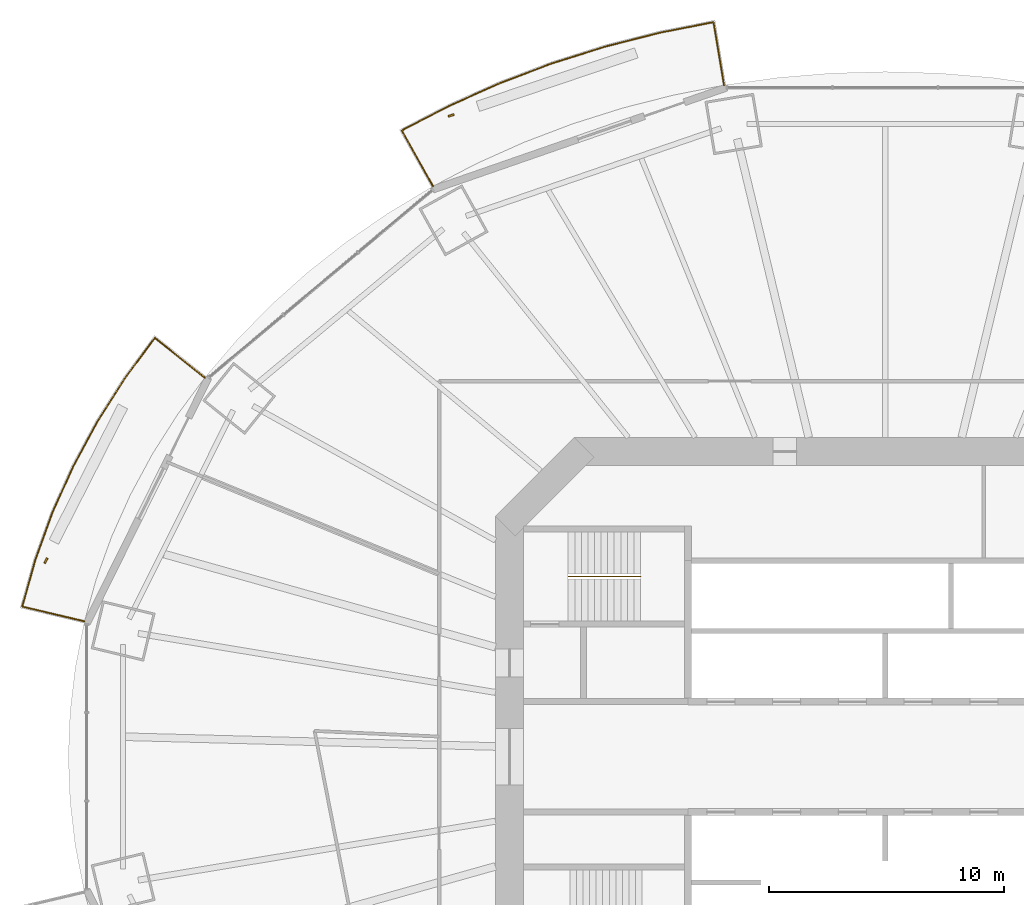
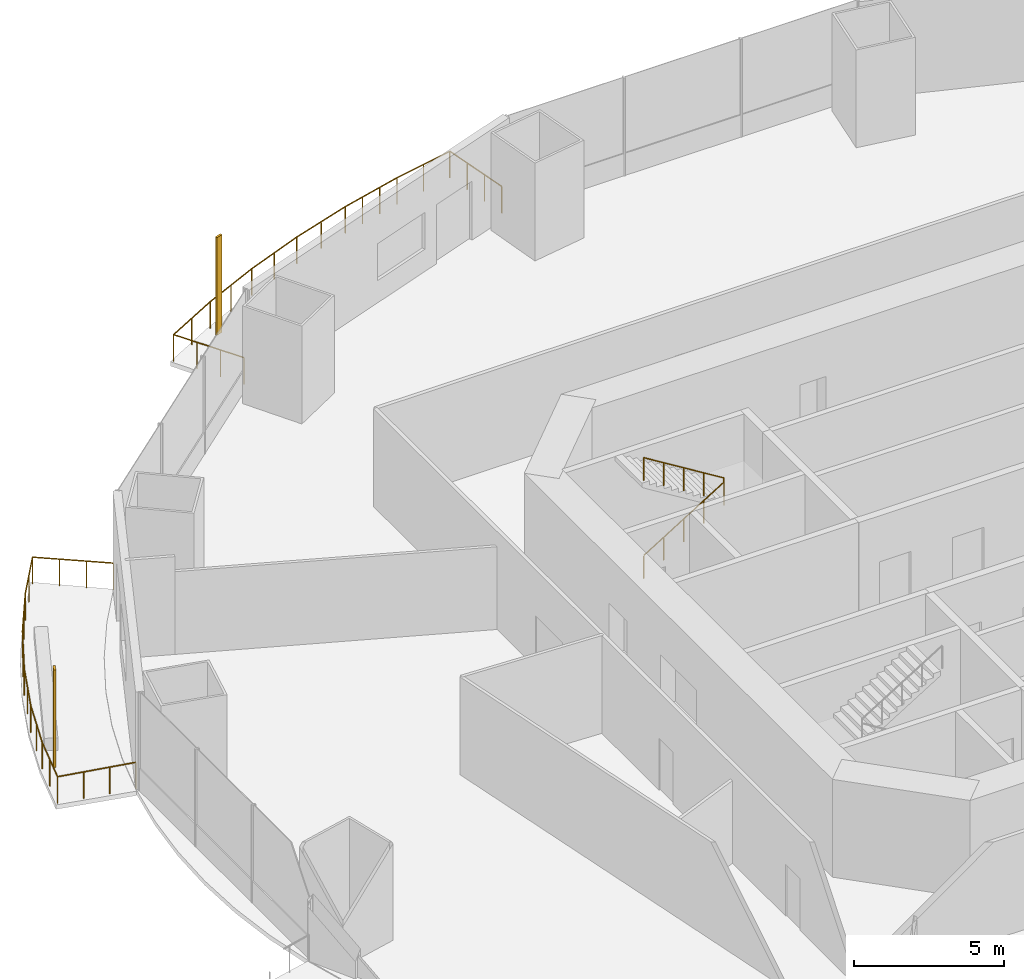
# One storey, part 19 of 22: 3 railings, 2 shading devices.
"""IFC4 building model written with IfcOpenShell, lengths in metres."""

from ifc_helpers import new_model, si_unit, direction, frame, origin, origin_2d, place, context, subcontext, project, spatial, rectangle, circle, extrude, material, material_profile, profile_set, type_object, element, save


model = new_model("IFC4")

# Units and contexts
model_context = context("Model", 3, precision=1e-05, world=origin(), true_north=direction((0.0, 1.0)))
body_context = subcontext(model_context, "Body", "Model", "MODEL_VIEW")
ifc_project = project(units=[si_unit("LENGTHUNIT", "METRE"), si_unit("AREAUNIT", "SQUARE_METRE"), si_unit("VOLUMEUNIT", "CUBIC_METRE"), si_unit("PLANEANGLEUNIT", "RADIAN"), si_unit("MASSUNIT", "GRAM", prefix="KILO")], contexts=[model_context])

# Site, building, storey
site_placement = place(None, origin())
site = spatial("IfcSite", under=ifc_project, at=site_placement, CompositionType="ELEMENT")
building_placement = place(site_placement, origin())
building = spatial("IfcBuilding", under=site, at=building_placement, Name="Marenthal Gate Tower", CompositionType="ELEMENT")
storey_placement = place(building_placement, frame((0.0, 0.0, 95.25)))
storey = spatial("IfcBuildingStorey", under=building, at=storey_placement, Name="L19", CompositionType="ELEMENT", Elevation=95.25)

# Railings
ifc_material_1 = material(Name="Stainless steel", Category="steel")
railing_type_1 = type_object("IfcRailingType", Name="Balcony guard 1100", PredefinedType="GUARDRAIL", material=ifc_material_1)
railing_1_placement = place(storey_placement, frame((-19.25732421875, 24.295654296875, 0.0)))
element("IfcRailing", 1, at=railing_1_placement, inside=storey, type_object=railing_type_1, Name="Balcony guard L19 bay 5", PredefinedType="GUARDRAIL", context=body_context, shape_type="SweptSolid", body=[
    extrude(circle(Radius=0.02392578125, at=origin_2d()), frame((0.0, 0.0, 1.076171875), z_axis=(-0.489129707977, 0.872086857323, -0.014718765524), x_axis=(-0.872181338021, -0.489182699621, 0.0)), (0.0, 0.0, 1.0), 2.72021484375),
    extrude(circle(Radius=0.02392578125, at=origin_2d()), frame((-1.33056640625, 2.372314453125, 1.0361328125), z_axis=(0.887149676746, 0.461481799261, 0.0), x_axis=(-0.461481799261, 0.887149676746, 0.0)), (0.0, 0.0, 1.0), 2.26318359375),
    extrude(circle(Radius=0.02392578125, at=origin_2d()), frame((0.67724609375, 3.416748046875, 1.0361328125), z_axis=(0.91251864488, 0.409035111876, 0.0), x_axis=(-0.409035111876, 0.91251864488, 0.0)), (0.0, 0.0, 1.0), 2.360107421875),
    extrude(circle(Radius=0.02392578125, at=origin_2d()), frame((2.830810546875, 4.382080078125, 1.0361328125), z_axis=(0.934799959644, 0.355174654852, 0.0), x_axis=(-0.355174654852, 0.934799959644, 0.0)), (0.0, 0.0, 1.0), 2.37548828125),
    extrude(circle(Radius=0.02392578125, at=origin_2d()), frame((5.051513671875, 5.225830078125, 1.0361328125), z_axis=(0.953610460093, 0.301043336416, 0.0), x_axis=(-0.301043336416, 0.953610460093, 0.0)), (0.0, 0.0, 1.0), 2.38916015625),
    extrude(circle(Radius=0.02392578125, at=origin_2d()), frame((7.329833984375, 5.945068359375, 1.0361328125), z_axis=(0.969123243842, 0.246576840449, 0.0), x_axis=(-0.246576840449, 0.969123243842, 0.0)), (0.0, 0.0, 1.0), 2.401123046875),
    extrude(circle(Radius=0.02392578125, at=origin_2d()), frame((9.65673828125, 6.537109375, 1.0361328125), z_axis=(0.981231836587, 0.192831747562, 0.0), x_axis=(-0.192831747562, 0.981231836587, 0.0)), (0.0, 0.0, 1.0), 2.330810546875),
    extrude(circle(Radius=0.02392578125, at=origin_2d()), frame((11.94384765625, 6.986572265625, 1.0361328125), z_axis=(0.164584914213, -0.986253111889, 0.014717516865), x_axis=(0.986359943071, 0.164602742092, 0.0)), (0.0, 0.0, 1.0), 2.720458984375),
    extrude(circle(Radius=0.02099609375, at=origin_2d()), origin(), (0.0, 0.0, 1.0), 1.052001953125),
    extrude(circle(Radius=0.02099609375, at=origin_2d()), frame((-0.443603515625, 0.790771484375, -0.013427734375)), (0.0, 0.0, 1.0), 1.052001953125),
    extrude(circle(Radius=0.02099609375, at=origin_2d()), frame((-0.886962890625, 1.58154296875, -0.026611328125)), (0.0, 0.0, 1.0), 1.052001953125),
    extrude(circle(Radius=0.02099609375, at=origin_2d()), frame((-1.33056640625, 2.372314453125, -0.0400390625)), (0.0, 0.0, 1.0), 1.052001953125),
    extrude(circle(Radius=0.02099609375, at=origin_2d()), frame((-0.32666015625, 2.89453125, -0.0400390625)), (0.0, 0.0, 1.0), 1.052001953125),
    extrude(circle(Radius=0.02099609375, at=origin_2d()), frame((0.67724609375, 3.416748046875, -0.0400390625)), (0.0, 0.0, 1.0), 1.052001953125),
    extrude(circle(Radius=0.02099609375, at=origin_2d()), frame((1.75390625, 3.8994140625, -0.0400390625)), (0.0, 0.0, 1.0), 1.052001953125),
    extrude(circle(Radius=0.02099609375, at=origin_2d()), frame((2.830810546875, 4.382080078125, -0.0400390625)), (0.0, 0.0, 1.0), 1.052001953125),
    extrude(circle(Radius=0.02099609375, at=origin_2d()), frame((3.941162109375, 4.803955078125, -0.0400390625)), (0.0, 0.0, 1.0), 1.052001953125),
    extrude(circle(Radius=0.02099609375, at=origin_2d()), frame((5.051513671875, 5.225830078125, -0.0400390625)), (0.0, 0.0, 1.0), 1.052001953125),
    extrude(circle(Radius=0.02099609375, at=origin_2d()), frame((6.190673828125, 5.58544921875, -0.0400390625)), (0.0, 0.0, 1.0), 1.052001953125),
    extrude(circle(Radius=0.02099609375, at=origin_2d()), frame((7.329833984375, 5.945068359375, -0.0400390625)), (0.0, 0.0, 1.0), 1.052001953125),
    extrude(circle(Radius=0.02099609375, at=origin_2d()), frame((8.10546875, 6.142333984375, -0.0400390625)), (0.0, 0.0, 1.0), 1.052001953125),
    extrude(circle(Radius=0.02099609375, at=origin_2d()), frame((8.881103515625, 6.33984375, -0.0400390625)), (0.0, 0.0, 1.0), 1.052001953125),
    extrude(circle(Radius=0.02099609375, at=origin_2d()), frame((9.65673828125, 6.537109375, -0.0400390625)), (0.0, 0.0, 1.0), 1.052001953125),
    extrude(circle(Radius=0.02099609375, at=origin_2d()), frame((10.80029296875, 6.76171875, -0.0400390625)), (0.0, 0.0, 1.0), 1.052001953125),
    extrude(circle(Radius=0.02099609375, at=origin_2d()), frame((11.94384765625, 6.986572265625, -0.0400390625)), (0.0, 0.0, 1.0), 1.052001953125),
    extrude(circle(Radius=0.02099609375, at=origin_2d()), frame((12.093017578125, 6.09228515625, -0.026611328125)), (0.0, 0.0, 1.0), 1.052001953125),
    extrude(circle(Radius=0.02099609375, at=origin_2d()), frame((12.242431640625, 5.19775390625, -0.013427734375)), (0.0, 0.0, 1.0), 1.052001953125),
    extrude(circle(Radius=0.02099609375, at=origin_2d()), frame((12.3916015625, 4.303466796875, 0.0)), (0.0, 0.0, 1.0), 1.052001953125),
])
railing_2_placement = place(storey_placement, frame((-34.10107421875, 5.769287109375, 0.0)))
element("IfcRailing", 2, at=railing_2_placement, inside=storey, type_object=railing_type_1, Name="Balcony guard L19 bay 7", PredefinedType="GUARDRAIL", context=body_context, shape_type="SweptSolid", body=[
    extrude(circle(Radius=0.02392578125, at=origin_2d()), frame((0.0, 0.0, 1.076171875), z_axis=(-0.972946801612, 0.230559942195, -0.014718501565), x_axis=(-0.230584919848, -0.973052205557, 0.0)), (0.0, 0.0, 1.0), 2.72021484375),
    extrude(circle(Radius=0.02392578125, at=origin_2d()), frame((-2.646728515625, 0.627197265625, 1.0361328125), z_axis=(0.269277750694, 0.963062559225, 0.0), x_axis=(-0.963062559225, 0.269277750694, 0.0)), (0.0, 0.0, 1.0), 2.05712890625),
    extrude(circle(Radius=0.02392578125, at=origin_2d()), frame((-2.0927734375, 2.6083984375, 1.0361328125), z_axis=(0.340136081654, 0.940376225751, 0.0), x_axis=(-0.940376225751, 0.340136081654, 0.0)), (0.0, 0.0, 1.0), 2.1474609375),
    extrude(circle(Radius=0.02392578125, at=origin_2d()), frame((-1.3623046875, 4.6279296875, 1.0361328125), z_axis=(0.409429124113, 0.91234192731, 0.0), x_axis=(-0.91234192731, 0.409429124113, 0.0)), (0.0, 0.0, 1.0), 2.15966796875),
    extrude(circle(Radius=0.02392578125, at=origin_2d()), frame((-0.47802734375, 6.598388671875, 1.0361328125), z_axis=(0.475284522292, 0.879832156078, 0.0), x_axis=(-0.879832156078, 0.475284522292, 0.0)), (0.0, 0.0, 1.0), 2.17431640625),
    extrude(circle(Radius=0.02392578125, at=origin_2d()), frame((0.555419921875, 8.511474609375, 1.0361328125), z_axis=(0.537452327695, 0.843294133417, 0.0), x_axis=(-0.843294133417, 0.537452327695, 0.0)), (0.0, 0.0, 1.0), 2.1904296875),
    extrude(circle(Radius=0.02392578125, at=origin_2d()), frame((1.732666015625, 10.358642578125, 1.0361328125), z_axis=(0.594516836854, 0.804083161556, 0.0), x_axis=(-0.804083161556, 0.594516836854, 0.0)), (0.0, 0.0, 1.0), 2.12841796875),
    extrude(circle(Radius=0.02392578125, at=origin_2d()), frame((2.998046875, 12.070068359375, 1.0361328125), z_axis=(0.782218085053, -0.62283082954, 0.014718192514), x_axis=(0.622898300926, 0.782302822892, 0.0)), (0.0, 0.0, 1.0), 2.720458984375),
    extrude(circle(Radius=0.02099609375, at=origin_2d()), origin(), (0.0, 0.0, 1.0), 1.052001953125),
    extrude(circle(Radius=0.02099609375, at=origin_2d()), frame((-0.88232421875, 0.208984375, -0.013427734375)), (0.0, 0.0, 1.0), 1.052001953125),
    extrude(circle(Radius=0.02099609375, at=origin_2d()), frame((-1.764404296875, 0.418212890625, -0.026611328125)), (0.0, 0.0, 1.0), 1.052001953125),
    extrude(circle(Radius=0.02099609375, at=origin_2d()), frame((-2.646728515625, 0.627197265625, -0.0400390625)), (0.0, 0.0, 1.0), 1.052001953125),
    extrude(circle(Radius=0.02099609375, at=origin_2d()), frame((-2.36962890625, 1.61767578125, -0.0400390625)), (0.0, 0.0, 1.0), 1.052001953125),
    extrude(circle(Radius=0.02099609375, at=origin_2d()), frame((-2.0927734375, 2.6083984375, -0.0400390625)), (0.0, 0.0, 1.0), 1.052001953125),
    extrude(circle(Radius=0.02099609375, at=origin_2d()), frame((-1.7275390625, 3.6181640625, -0.0400390625)), (0.0, 0.0, 1.0), 1.052001953125),
    extrude(circle(Radius=0.02099609375, at=origin_2d()), frame((-1.3623046875, 4.6279296875, -0.0400390625)), (0.0, 0.0, 1.0), 1.052001953125),
    extrude(circle(Radius=0.02099609375, at=origin_2d()), frame((-0.920166015625, 5.61328125, -0.0400390625)), (0.0, 0.0, 1.0), 1.052001953125),
    extrude(circle(Radius=0.02099609375, at=origin_2d()), frame((-0.47802734375, 6.598388671875, -0.0400390625)), (0.0, 0.0, 1.0), 1.052001953125),
    extrude(circle(Radius=0.02099609375, at=origin_2d()), frame((0.03857421875, 7.554931640625, -0.0400390625)), (0.0, 0.0, 1.0), 1.052001953125),
    extrude(circle(Radius=0.02099609375, at=origin_2d()), frame((0.555419921875, 8.511474609375, -0.0400390625)), (0.0, 0.0, 1.0), 1.052001953125),
    extrude(circle(Radius=0.02099609375, at=origin_2d()), frame((1.14404296875, 9.43505859375, -0.0400390625)), (0.0, 0.0, 1.0), 1.052001953125),
    extrude(circle(Radius=0.02099609375, at=origin_2d()), frame((1.732666015625, 10.358642578125, -0.0400390625)), (0.0, 0.0, 1.0), 1.052001953125),
    extrude(circle(Radius=0.02099609375, at=origin_2d()), frame((2.365234375, 11.21435546875, -0.0400390625)), (0.0, 0.0, 1.0), 1.052001953125),
    extrude(circle(Radius=0.02099609375, at=origin_2d()), frame((2.998046875, 12.070068359375, -0.0400390625)), (0.0, 0.0, 1.0), 1.052001953125),
    extrude(circle(Radius=0.02099609375, at=origin_2d()), frame((3.707275390625, 11.50537109375, -0.026611328125)), (0.0, 0.0, 1.0), 1.052001953125),
    extrude(circle(Radius=0.02099609375, at=origin_2d()), frame((4.416748046875, 10.9404296875, -0.013427734375)), (0.0, 0.0, 1.0), 1.052001953125),
    extrude(circle(Radius=0.02099609375, at=origin_2d()), frame((5.1259765625, 10.375732421875, 0.0)), (0.0, 0.0, 1.0), 1.052001953125),
])
ifc_material_2 = material(Name="Stainless steel", Category="steel")
railing_type_2 = type_object("IfcRailingType", Name="Stair handrail", PredefinedType="HANDRAIL", material=ifc_material_2)
railing_3_placement = place(storey_placement, frame((-13.5, 7.675048828125, 0.1728515625)))
element("IfcRailing", 3, at=railing_3_placement, inside=storey, type_object=railing_type_2, Name="Handrail ST1", PredefinedType="HANDRAIL", context=body_context, shape_type="SweptSolid", body=[
    extrude(circle(Radius=0.0224609375, at=origin_2d()), frame((0.0, 0.0, 0.927490234375), z_axis=(0.850835241893, 0.0, 0.525432575268), x_axis=(0.0, 1.0, 0.0)), (0.0, 0.0, 1.0), 3.6201171875),
    extrude(circle(Radius=0.0224609375, at=origin_2d()), frame((3.080078125, 0.0, 2.82958984375), z_axis=(0.0, 0.0, 1.0), x_axis=(1.0, 0.0, 0.0)), (0.0, 0.0, 1.0), 0.1728515625),
    extrude(circle(Radius=0.0224609375, at=origin_2d()), frame((3.080078125, 0.0, 3.00244140625), z_axis=(-0.850835241893, 0.0, 0.525432575268), x_axis=(0.0, -1.0, 0.0)), (0.0, 0.0, 1.0), 3.6201171875),
    extrude(circle(Radius=0.02001953125, at=origin_2d()), origin(), (0.0, 0.0, 1.0), 0.905029296875),
    extrude(circle(Radius=0.02001953125, at=origin_2d()), frame((0.77001953125, 0.0, 0.4755859375)), (0.0, 0.0, 1.0), 0.905029296875),
    extrude(circle(Radius=0.02001953125, at=origin_2d()), frame((1.5400390625, 0.0, 0.951171875)), (0.0, 0.0, 1.0), 0.905029296875),
    extrude(circle(Radius=0.02001953125, at=origin_2d()), frame((2.31005859375, 0.0, 1.426513671875)), (0.0, 0.0, 1.0), 0.905029296875),
    extrude(circle(Radius=0.02001953125, at=origin_2d()), frame((3.080078125, 0.0, 1.902099609375)), (0.0, 0.0, 1.0), 0.905029296875),
    extrude(circle(Radius=0.02001953125, at=origin_2d()), frame((3.080078125, 0.0, 2.074951171875)), (0.0, 0.0, 1.0), 0.905029296875),
    extrude(circle(Radius=0.02001953125, at=origin_2d()), frame((2.31005859375, 0.0, 2.550537109375)), (0.0, 0.0, 1.0), 0.905029296875),
    extrude(circle(Radius=0.02001953125, at=origin_2d()), frame((1.5400390625, 0.0, 3.02587890625)), (0.0, 0.0, 1.0), 0.905029296875),
    extrude(circle(Radius=0.02001953125, at=origin_2d()), frame((0.77001953125, 0.0, 3.50146484375)), (0.0, 0.0, 1.0), 0.905029296875),
    extrude(circle(Radius=0.02001953125, at=origin_2d()), frame((0.0, 0.0, 3.97705078125)), (0.0, 0.0, 1.0), 0.905029296875),
])

# Shading devices
ifc_material_3 = material(Name="Terracotta", Category="masonry")
ifc_material_profile = material_profile(ifc_material_3, rectangle(XDim=0.25, YDim=0.080078125, at=origin_2d()), Name="Terracotta baguette 250x80")
ifc_profile_set = profile_set([ifc_material_profile], Name="Terracotta")
shading_device_type = type_object("IfcShadingDeviceType", Name="Terracotta BAGUETTE SCREEN 250x80", PredefinedType="USERDEFINED", material=ifc_profile_set)
for number, where, z_axis, x_axis, name in (
    (4, (-18.486572265625, 27.31005859375, -0.0400390625), (0.0, 0.0, 1.0), (-0.94461425051, -0.328182750512, 0.0), "Terracotta BAGUETTE L19 bay 5R"),
    (5, (-35.7412109375, 8.34765625, -0.0400390625), (0.0, 0.0, 1.0), (-0.44279047576, -0.896625113733, 0.0), "Terracotta BAGUETTE L19 bay 7R"),
):
    element("IfcShadingDevice", number, at=place(storey_placement, frame(where, z_axis=z_axis, x_axis=x_axis)), inside=storey, type_object=shading_device_type, Name=name, ObjectType="BAGUETTE SCREEN", PredefinedType="USERDEFINED", context=body_context, shape_type="SweptSolid", body=[
        extrude(rectangle(XDim=0.25, YDim=0.080078125, at=origin_2d()), origin(), (0.0, 0.0, 1.0), 3.969970703125),
    ])

save(model, "model.ifc")
